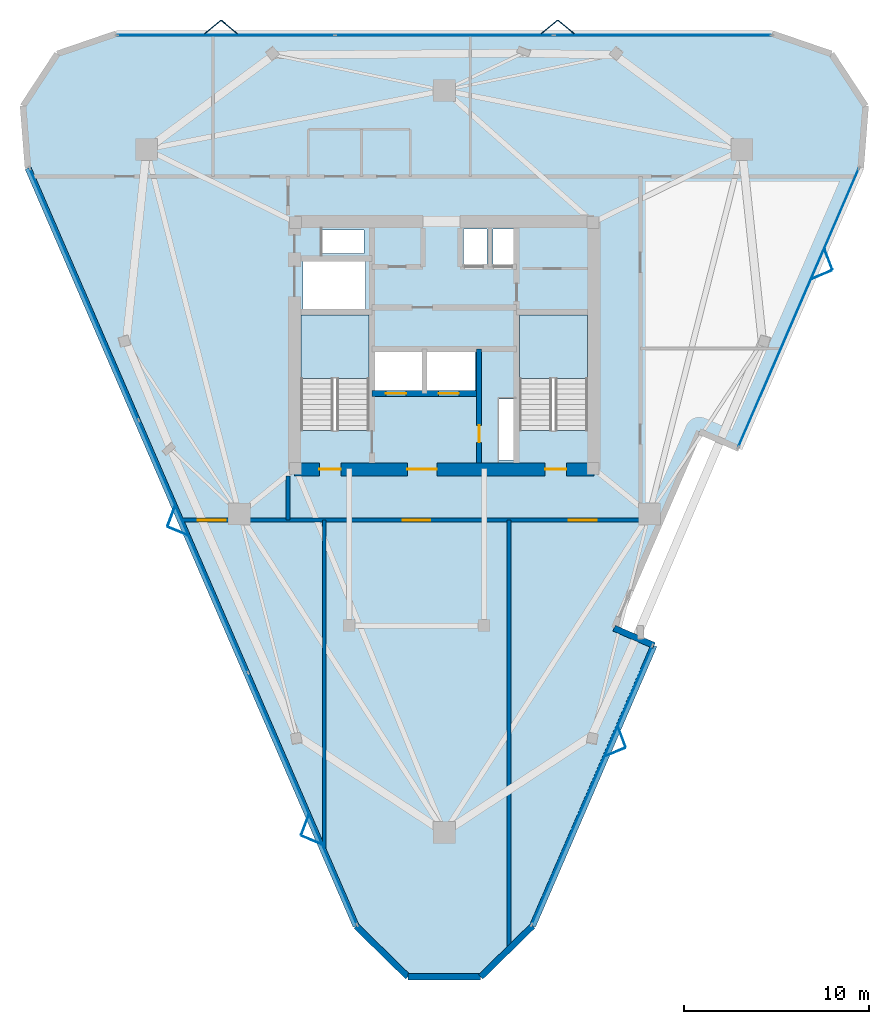
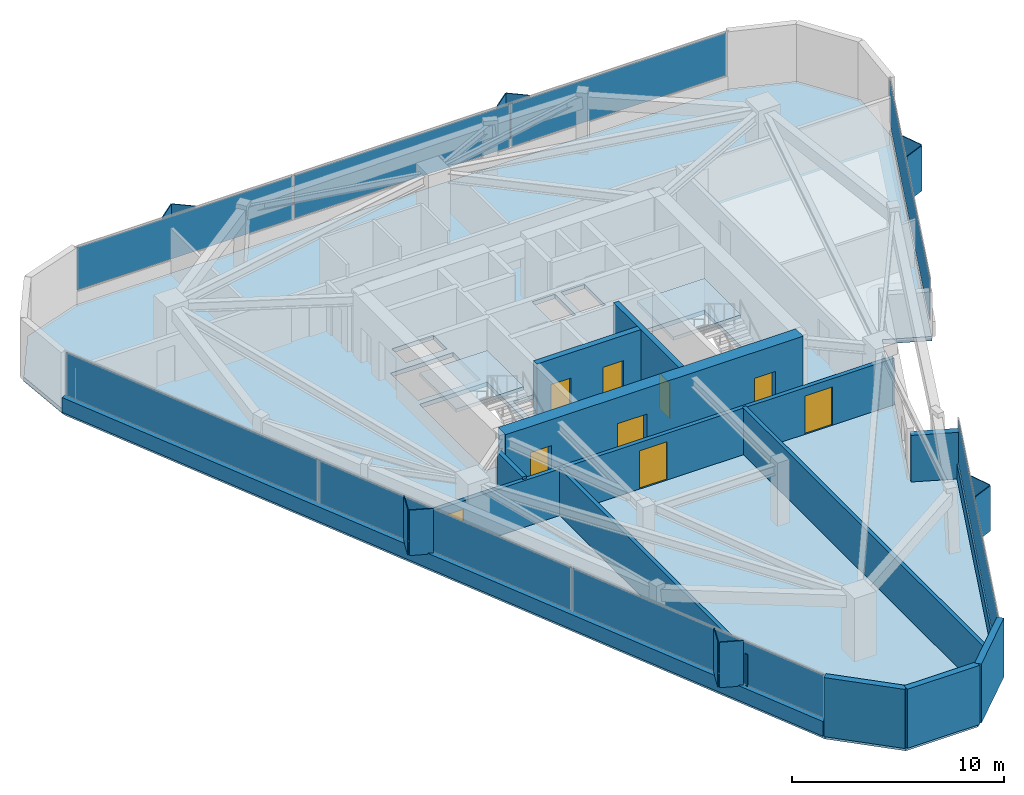
# One storey, part 7 of 10: 20 plates, 13 walls, 9 doors, 3 slabs, 9 openings, 6 elements without a shape of their own.
"""IFC4 building model written with IfcOpenShell, lengths in metres."""

from ifc_helpers import new_model, si_unit, direction, frame, frame_2d, origin, origin_2d, place, context, subcontext, project, spatial, polyline, rectangle, outline, extrude, material, layer, layer_set, type_object, element, fill, aggregate, save


model = new_model("IFC4")

# Units and contexts
model_context = context("Model", 3, precision=1e-05, world=origin(), true_north=direction((0.0, 1.0)))
body_context = subcontext(model_context, "Body", "Model", "MODEL_VIEW")
ifc_project = project(units=[si_unit("LENGTHUNIT", "METRE"), si_unit("AREAUNIT", "SQUARE_METRE"), si_unit("VOLUMEUNIT", "CUBIC_METRE"), si_unit("PLANEANGLEUNIT", "RADIAN"), si_unit("MASSUNIT", "GRAM", prefix="KILO")], contexts=[model_context])

# Site, building, storey
site_placement = place(None, origin())
site = spatial("IfcSite", under=ifc_project, at=site_placement, CompositionType="ELEMENT")
building_placement = place(site_placement, origin())
building = spatial("IfcBuilding", under=site, at=building_placement, Name="Talyreon Biosciences Tower", CompositionType="ELEMENT")
storey_placement = place(building_placement, frame((0.0, 0.0, 257.14990234375)))
storey = spatial("IfcBuildingStorey", under=building, at=storey_placement, Name="L68", CompositionType="ELEMENT", Elevation=257.14990234375)

# Curtain wall, plates
ifc_material_1 = material(Name="Thermally broken aluminium and low-E glazing", Category="aluminium")
ifc_layer_1 = layer(ifc_material_1, 0.205078125)
ifc_layer_set_1 = layer_set([ifc_layer_1], Name="Thermally broken aluminium and low-E glazing")
curtain_wall_type = type_object("IfcCurtainWallType", Name="CurtainWall_SkyGardenLoggia", PredefinedType="NOTDEFINED", material=ifc_layer_set_1)
curtain_wall_1_placement = place(storey_placement, origin())
curtain_wall_1 = element("IfcCurtainWall", 1, at=curtain_wall_1_placement, inside=storey, type_object=curtain_wall_type, Name="L68 Unitised Curtain Wall FCW-L68-03", PredefinedType="NOTDEFINED")
ifc_material_2 = material(Name="Acoustic laminated low-E insulated glazing", Category="glass")
ifc_layer_2 = layer(ifc_material_2, 0.0380859375)
ifc_layer_set_2 = layer_set([ifc_layer_2], Name="Acoustic laminated low-E insulated glazing")
plate_type_1 = type_object("IfcPlateType", Name="CWGlazingPanel_38", PredefinedType="CURTAIN_PANEL", material=ifc_layer_set_2)
plate_1_placement = place(storey_placement, frame((54.193115234375, 84.77099609375, 0.875), z_axis=(0.0, 0.0, 1.0), x_axis=(1.0, 0.0, 0.0)))
plate_1 = element("IfcPlate", 2, at=plate_1_placement, type_object=plate_type_1, Name="CW7 panel 1.1", PredefinedType="CURTAIN_PANEL", context=body_context, shape_type="SweptSolid", body=[
    extrude(rectangle(XDim=11.713134765625, YDim=0.0380859375, at=origin_2d()), origin(), (0.0, 0.0, 1.0), 2.4599609375),
])
plate_2_placement = place(storey_placement, frame((66.0, 84.77099609375, 0.875), z_axis=(0.0, 0.0, 1.0), x_axis=(1.0, 0.0, 0.0)))
plate_2 = element("IfcPlate", 3, at=plate_2_placement, type_object=plate_type_1, Name="CW7 panel 2.1", PredefinedType="CURTAIN_PANEL", context=body_context, shape_type="SweptSolid", body=[
    extrude(rectangle(XDim=11.750732421875, YDim=0.0380859375, at=origin_2d()), origin(), (0.0, 0.0, 1.0), 2.4599609375),
])
plate_3_placement = place(storey_placement, frame((77.806884765625, 84.77099609375, 0.875), z_axis=(0.0, 0.0, 1.0), x_axis=(1.0, 0.0, 0.0)))
plate_3 = element("IfcPlate", 4, at=plate_3_placement, type_object=plate_type_1, Name="CW7 panel 3.1", PredefinedType="CURTAIN_PANEL", context=body_context, shape_type="SweptSolid", body=[
    extrude(rectangle(XDim=11.713134765625, YDim=0.0380859375, at=origin_2d()), origin(), (0.0, 0.0, 1.0), 2.4599609375),
])
aggregate(curtain_wall_1, [plate_1, plate_2, plate_3])

# Curtain wall, plate
curtain_wall_2_placement = place(storey_placement, origin())
curtain_wall_2 = element("IfcCurtainWall", 5, at=curtain_wall_2_placement, inside=storey, type_object=curtain_wall_type, Name="L68 Unitised Curtain Wall FCW-L68-07", PredefinedType="NOTDEFINED")
plate_4_placement = place(storey_placement, frame((85.154541015625, 70.032958984375, 0.875), z_axis=(0.0, 0.0, 1.0), x_axis=(-0.397218746753, -0.917723960256, 0.0)))
plate_4 = element("IfcPlate", 6, at=plate_4_placement, type_object=plate_type_1, Name="CW7 panel 1.1", PredefinedType="CURTAIN_PANEL", context=body_context, shape_type="SweptSolid", body=[
    extrude(rectangle(XDim=16.378173828125, YDim=0.0380859375, at=origin_2d()), origin(), (0.0, 0.0, 1.0), 2.4599609375),
])
aggregate(curtain_wall_2, [plate_4])

curtain_wall_3_placement = place(storey_placement, origin())
curtain_wall_3 = element("IfcCurtainWall", 7, at=curtain_wall_3_placement, inside=storey, type_object=curtain_wall_type, Name="L68 Unitised Curtain Wall FCW-L68-11", PredefinedType="NOTDEFINED")
plate_5_placement = place(storey_placement, frame((73.9814453125, 44.21923828125, 0.875), z_axis=(0.0, 0.0, 1.0), x_axis=(-0.397220952302, -0.917723005624, 0.0)))
plate_5 = element("IfcPlate", 8, at=plate_5_placement, type_object=plate_type_1, Name="CW7 panel 1.1", PredefinedType="CURTAIN_PANEL", context=body_context, shape_type="SweptSolid", body=[
    extrude(rectangle(XDim=16.378173828125, YDim=0.0380859375, at=origin_2d()), origin(), (0.0, 0.0, 1.0), 2.4599609375),
])
aggregate(curtain_wall_3, [plate_5])

# Curtain wall, plates
curtain_wall_4_placement = place(storey_placement, origin())
curtain_wall_4 = element("IfcCurtainWall", 9, at=curtain_wall_4_placement, inside=storey, type_object=curtain_wall_type, Name="L68 Unitised Curtain Wall FCW-L68-15", PredefinedType="NOTDEFINED")
plate_6_placement = place(storey_placement, frame((58.33740234375, 43.482666015625, 0.875), z_axis=(0.0, 0.0, 1.0), x_axis=(-0.397220725706, 0.917723103703, 0.0)))
plate_6 = element("IfcPlate", 10, at=plate_6_placement, type_object=plate_type_1, Name="CW7 panel 1.1", PredefinedType="CURTAIN_PANEL", context=body_context, shape_type="SweptSolid", body=[
    extrude(rectangle(XDim=14.77294921875, YDim=0.0380859375, at=origin_2d()), origin(), (0.0, 0.0, 1.0), 2.4599609375),
])
plate_7_placement = place(storey_placement, frame((52.431884765625, 57.126220703125, 0.875), z_axis=(0.0, 0.0, 1.0), x_axis=(-0.397220725706, 0.917723103703, 0.0)))
plate_7 = element("IfcPlate", 11, at=plate_7_placement, type_object=plate_type_1, Name="CW7 panel 2.1", PredefinedType="CURTAIN_PANEL", context=body_context, shape_type="SweptSolid", body=[
    extrude(rectangle(XDim=14.810546875, YDim=0.0380859375, at=origin_2d()), origin(), (0.0, 0.0, 1.0), 2.4599609375),
])
plate_8_placement = place(storey_placement, frame((46.526611328125, 70.76953125, 0.875), z_axis=(0.0, 0.0, 1.0), x_axis=(-0.397220725706, 0.917723103703, 0.0)))
plate_8 = element("IfcPlate", 12, at=plate_8_placement, type_object=plate_type_1, Name="CW7 panel 3.1", PredefinedType="CURTAIN_PANEL", context=body_context, shape_type="SweptSolid", body=[
    extrude(rectangle(XDim=14.77294921875, YDim=0.0380859375, at=origin_2d()), origin(), (0.0, 0.0, 1.0), 2.4599609375),
])
aggregate(curtain_wall_4, [plate_6, plate_7, plate_8])

# Slab
ifc_material_3 = material(Name="Concrete C40/50", Category="concrete")
ifc_layer_3 = layer(ifc_material_3, 0.25)
ifc_layer_set_3 = layer_set([ifc_layer_3], Name="Concrete C40/50")
slab_type_1 = type_object("IfcSlabType", Name="DryLabFloorSlab_250", PredefinedType="FLOOR", material=ifc_layer_set_3)
slab_1_placement = place(storey_placement, frame((0.0, 0.0, -0.25)))
element("IfcSlab", 13, at=slab_1_placement, inside=storey, type_object=slab_type_1, Name="L68 Structural Floor Slab", PredefinedType="FLOOR", context=body_context, shape_type="SweptSolid", body=[
    extrude(outline(polyline([(43.489501953125, 77.58544921875), (43.224853515625, 80.94384765625), (45.07421875, 83.759765625), (48.261474609375, 84.85107421875), (83.738525390625, 84.85107421875), (86.92578125, 83.759765625), (88.775146484375, 80.94384765625), (88.510498046875, 77.58544921875), (81.9453125, 62.4169921875), (79.788818359375, 63.3505859375), (75.180908203125, 52.705078125), (77.33740234375, 51.771484375), (70.772216796875, 36.603271484375), (67.964599609375, 33.854248046875), (64.035400390625, 33.854248046875), (61.227783203125, 36.603271484375), (43.489501953125, 77.58544921875)]), holes=[polyline([(69.820068359375, 65.10009765625), (69.820068359375, 61.800048828125), (68.9599609375, 61.800048828125), (68.9599609375, 65.10009765625), (69.820068359375, 65.10009765625)]), polyline([(61.929931640625, 69.64990234375), (61.929931640625, 63.407958984375), (58.25, 63.407958984375), (58.25, 69.64990234375), (61.929931640625, 69.64990234375)]), polyline([(73.75, 69.64990234375), (73.75, 63.407958984375), (70.070068359375, 63.407958984375), (70.070068359375, 69.64990234375), (73.75, 69.64990234375)]), polyline([(64.800048828125, 67.64990234375), (64.800048828125, 65.550048828125), (62.199951171875, 65.550048828125), (62.199951171875, 67.64990234375), (64.800048828125, 67.64990234375)]), polyline([(67.64990234375, 67.64990234375), (67.64990234375, 65.550048828125), (65.050048828125, 65.550048828125), (65.050048828125, 67.64990234375), (67.64990234375, 67.64990234375)]), polyline([(61.75, 72.550048828125), (61.75, 69.97998046875), (58.35009765625, 69.97998046875), (58.35009765625, 72.550048828125), (61.75, 72.550048828125)]), polyline([(68.300048828125, 74.300048828125), (68.300048828125, 72.35009765625), (67.050048828125, 72.35009765625), (67.050048828125, 74.300048828125), (68.300048828125, 74.300048828125)]), polyline([(69.919921875, 72.35009765625), (68.6201171875, 72.35009765625), (68.6201171875, 74.300048828125), (69.919921875, 74.300048828125), (69.919921875, 72.35009765625)]), polyline([(61.64990234375, 72.9599609375), (59.39990234375, 72.9599609375), (59.39990234375, 74.25), (61.64990234375, 74.25), (61.64990234375, 72.9599609375)])]), origin(), (0.0, 0.0, 1.0), 0.25),
])

# Plates
ifc_material_4 = material(Name="Ivory GFRC sunshade panel", Category="concrete")
ifc_layer_4 = layer(ifc_material_4, 0.044921875)
ifc_layer_set_4 = layer_set([ifc_layer_4], Name="Ivory GFRC sunshade panel")
plate_type_2 = type_object("IfcPlateType", Name="FoldedVSunshade_NorthFace_SUNSHADE", PredefinedType="USERDEFINED", material=ifc_layer_set_4)
for number, where, z_axis, x_axis, name in (
    (14, (53.4814453125, 85.2109375, 0.7900390625), (0.0, 0.0, 1.0), (0.771624583388, 0.636078220278, 0.0), "L68 Folded V-Sunshade Panel 03.01L"),
    (15, (54.381591796875, 85.2109375, 0.7900390625), (0.0, 0.0, 1.0), (0.771624583388, -0.636078220278, 0.0), "L68 Folded V-Sunshade Panel 03.01R"),
    (16, (71.681396484375, 85.2109375, 0.7900390625), (0.0, 0.0, 1.0), (0.771624583388, 0.636078220278, 0.0), "L68 Folded V-Sunshade Panel 03.02L"),
    (17, (72.58154296875, 85.2109375, 0.7900390625), (0.0, 0.0, 1.0), (0.771624583388, -0.636078220278, 0.0), "L68 Folded V-Sunshade Panel 03.02R"),
):
    element("IfcPlate", number, at=place(storey_placement, frame(where, z_axis=z_axis, x_axis=x_axis)), inside=storey, type_object=plate_type_2, Name=name, ObjectType="SUNSHADE", PredefinedType="USERDEFINED", context=body_context, shape_type="SweptSolid", body=[
        extrude(rectangle(XDim=1.14990234375, YDim=0.044921875, at=origin_2d()), origin(), (0.0, 0.0, 1.0), 2.610107421875),
    ])
ifc_layer_5 = layer(ifc_material_4, 0.044921875)
ifc_layer_set_5 = layer_set([ifc_layer_5], Name="Ivory GFRC sunshade panel")
plate_type_3 = type_object("IfcPlateType", Name="FoldedVSunshade_SunFace_SUNSHADE", PredefinedType="USERDEFINED", material=ifc_layer_set_5)
for number, where, z_axis, x_axis, name in (
    (18, (86.767578125, 72.65185546875, 0.7900390625), (0.0, 0.0, 1.0), (0.351776298264, -0.936084096639, 0.0), "L68 Folded V-Sunshade Panel 07.01L"),
    (19, (86.409912109375, 71.825927734375, 0.7900390625), (0.0, 0.0, 1.0), (-0.923237043738, -0.384230869491, 0.0), "L68 Folded V-Sunshade Panel 07.01R"),
    (20, (75.594482421875, 46.837890625, 0.7900390625), (0.0, 0.0, 1.0), (0.351759960461, -0.936090236151, 0.0), "L68 Folded V-Sunshade Panel 11.01L"),
    (21, (75.23681640625, 46.011962890625, 0.7900390625), (0.0, 0.0, 1.0), (-0.923243749691, -0.384214755907, 0.0), "L68 Folded V-Sunshade Panel 11.01R"),
    (22, (58.823974609375, 41.250732421875, 0.7900390625), (0.0, 0.0, 1.0), (-0.923243749691, 0.384214755907, 0.0), "L68 Folded V-Sunshade Panel 15.01L"),
    (23, (58.46630859375, 42.076904296875, 0.7900390625), (0.0, 0.0, 1.0), (0.351759960461, 0.936090236151, 0.0), "L68 Folded V-Sunshade Panel 15.01R"),
    (24, (51.594482421875, 57.953369140625, 0.7900390625), (0.0, 0.0, 1.0), (-0.923243749691, 0.384214755907, 0.0), "L68 Folded V-Sunshade Panel 15.02L"),
    (25, (51.237060546875, 58.779296875, 0.7900390625), (0.0, 0.0, 1.0), (0.351759960461, 0.936090236151, 0.0), "L68 Folded V-Sunshade Panel 15.02R"),
):
    element("IfcPlate", number, at=place(storey_placement, frame(where, z_axis=z_axis, x_axis=x_axis)), inside=storey, type_object=plate_type_3, Name=name, ObjectType="SUNSHADE", PredefinedType="USERDEFINED", context=body_context, shape_type="SweptSolid", body=[
        extrude(rectangle(XDim=1.14990234375, YDim=0.044921875, at=origin_2d()), origin(), (0.0, 0.0, 1.0), 2.610107421875),
    ])

# Stair, slab
stair_type = type_object("IfcStairType", Name="DoglegEscapeStair_3650", PredefinedType="HALF_TURN_STAIR", material=ifc_material_3)
stair_1_placement = place(storey_placement, origin())
stair_1 = element("IfcStair", 26, at=stair_1_placement, inside=storey, type_object=stair_type, Name="L68 Core Escape Stair 1", PredefinedType="HALF_TURN_STAIR")
ifc_layer_6 = layer(ifc_material_3, 0.199951171875)
ifc_layer_set_6 = layer_set([ifc_layer_6], Name="Concrete C40/50")
slab_type_2 = type_object("IfcSlabType", Name="StairLandingSlab_200", PredefinedType="LANDING", material=ifc_layer_set_6)
slab_2_placement = place(storey_placement, frame((0.0, 0.0, 1.625)))
slab_2 = element("IfcSlab", 27, at=slab_2_placement, type_object=slab_type_2, Name="ST-1 landing 1", PredefinedType="LANDING", context=body_context, shape_type="SweptSolid", body=[
    extrude(outline(polyline([(61.929931640625, 66.199951171875), (61.929931640625, 69.64990234375), (58.25, 69.64990234375), (58.25, 66.199951171875), (61.929931640625, 66.199951171875)])), origin(), (0.0, 0.0, 1.0), 0.2001953125),
])
aggregate(stair_1, [slab_2])

stair_2_placement = place(storey_placement, origin())
stair_2 = element("IfcStair", 28, at=stair_2_placement, inside=storey, type_object=stair_type, Name="L68 Core Escape Stair 2", PredefinedType="HALF_TURN_STAIR")
slab_3_placement = place(storey_placement, frame((0.0, 0.0, 1.625)))
slab_3 = element("IfcSlab", 29, at=slab_3_placement, type_object=slab_type_2, Name="ST-2 landing 1", PredefinedType="LANDING", context=body_context, shape_type="SweptSolid", body=[
    extrude(outline(polyline([(73.75, 66.199951171875), (73.75, 69.64990234375), (70.070068359375, 69.64990234375), (70.070068359375, 66.199951171875), (73.75, 66.199951171875)])), origin(), (0.0, 0.0, 1.0), 0.2001953125),
])
aggregate(stair_2, [slab_3])

# Walls
ifc_material_5 = material(Name="Gypsum fireboard acoustic stud", Category="gypsum")
ifc_layer_7 = layer(ifc_material_5, 0.199951171875)
ifc_layer_set_7 = layer_set([ifc_layer_7], Name="Gypsum fireboard acoustic stud")
wall_type_1 = type_object("IfcWallType", Name="ChemControlPartition_200", PredefinedType="PARTITIONING", material=ifc_layer_set_7)
wall_1_placement = place(storey_placement, frame((59.5, 40.80908203125, 0.0), z_axis=(0.0, 0.0, 1.0), x_axis=(0.0, 1.0, 0.0)))
element("IfcWall", 30, at=wall_1_placement, inside=storey, type_object=wall_type_1, Name="L68 Interior Wall IW-L68-SDIV1", PredefinedType="PARTITIONING", context=body_context, shape_type="SweptSolid", body=[
    extrude(rectangle(XDim=17.740966796875, YDim=0.199951171875, at=frame_2d((8.87060546875, 0.0))), origin(), (0.0, 0.0, 1.0), 2.68017578125),
])
wall_2_placement = place(storey_placement, frame((69.5, 35.4765625, 0.0), z_axis=(0.0, 0.0, 1.0), x_axis=(0.0, 1.0, 0.0)))
element("IfcWall", 31, at=wall_2_placement, inside=storey, type_object=wall_type_1, Name="L68 Interior Wall IW-L68-SDIV2", PredefinedType="PARTITIONING", context=body_context, shape_type="SweptSolid", body=[
    extrude(rectangle(XDim=23.073486328125, YDim=0.199951171875, at=frame_2d((11.53662109375, 0.0))), origin(), (0.0, 0.0, 1.0), 2.68017578125),
])

# Wall, opening, door
ifc_material_6 = material(Name="Concrete C50/60", Category="concrete")
ifc_layer_8 = layer(ifc_material_6, 0.280029296875)
ifc_layer_set_8 = layer_set([ifc_layer_8], Name="Concrete C50/60")
wall_type_2 = type_object("IfcWallType", Name="CoreShearWall_280", PredefinedType="SHEAR", material=ifc_layer_set_8)
wall_3_placement = place(storey_placement, frame((67.8798828125, 61.64990234375, 0.0), z_axis=(0.0, 0.0, 1.0), x_axis=(0.0, 1.0, 0.0)))
wall_3 = element("IfcWall", 32, at=wall_3_placement, inside=storey, type_object=wall_type_2, Name="L68 Core Shaft Wall SWFFE", PredefinedType="SHEAR", context=body_context, shape_type="SweptSolid", body=[
    extrude(rectangle(XDim=6.150146484375, YDim=0.280029296875, at=frame_2d((3.0751953125, 0.0))), origin(), (0.0, 0.0, 1.0), 3.650146484375),
])
opening_1_placement = place(wall_3_placement, frame((1.10009765625, 0.0, 0.0)))
opening_1 = element("IfcOpeningElement", 33, at=opening_1_placement, cuts=wall_3, Name="Opening DR-L68-RSE", PredefinedType="OPENING", context=body_context, shape_type="SweptSolid", body=[
    extrude(rectangle(XDim=0.919921875, YDim=2.050048828125, at=frame_2d((0.4599609375, 1.02490234375))), frame((0.0, 0.14990234375, 0.0), z_axis=(0.0, -1.0, 0.0), x_axis=(1.0, 0.0, 0.0)), (0.0, 0.0, 1.0), 0.300048828125),
])
ifc_material_7 = material(Name="Painted steel fire-rated riser door", Category="steel")
door_type_1 = type_object("IfcDoorType", Name="RiserPlantAccessDoor_920x2050", OperationType="NOTDEFINED", PredefinedType="DOOR", material=ifc_material_7)
door_1_placement = place(opening_1_placement, origin())
door_1 = element("IfcDoor", 34, at=door_1_placement, inside=storey, type_object=door_type_1, Name="L68 Core Door DR-L68-RSE", OperationType="SINGLE_SWING_RIGHT", OverallHeight=2.050048828125, OverallWidth=0.919921875, PredefinedType="DOOR", context=body_context, shape_type="SweptSolid", body=[
    extrude(rectangle(XDim=0.919921875, YDim=2.050048828125, at=frame_2d((0.4599609375, 1.02490234375))), frame((0.0, 0.02490234375, 0.0), z_axis=(0.0, -1.0, 0.0), x_axis=(1.0, 0.0, 0.0)), (0.0, 0.0, 1.0), 0.050048828125),
])
fill(opening_1, door_1)

# Wall, openings, doors
ifc_layer_9 = layer(ifc_material_6, 0.320068359375)
ifc_layer_set_9 = layer_set([ifc_layer_9], Name="Concrete C50/60")
wall_type_3 = type_object("IfcWallType", Name="CoreShearWall_320", PredefinedType="SHEAR", material=ifc_layer_set_9)
wall_4_placement = place(storey_placement, frame((62.090087890625, 65.39990234375, 0.0), z_axis=(0.0, 0.0, 1.0), x_axis=(1.0, 0.0, 0.0)))
wall_4 = element("IfcWall", 35, at=wall_4_placement, inside=storey, type_object=wall_type_3, Name="L68 Core Shaft Wall SWFFN", PredefinedType="SHEAR", context=body_context, shape_type="SweptSolid", body=[
    extrude(rectangle(XDim=5.789794921875, YDim=0.320068359375, at=frame_2d((2.89501953125, 0.0))), origin(), (0.0, 0.0, 1.0), 3.650146484375),
])
opening_2_placement = place(wall_4_placement, frame((0.75, 0.0, 0.0)))
opening_2 = element("IfcOpeningElement", 36, at=opening_2_placement, cuts=wall_4, Name="Opening LD-L68-FL1", PredefinedType="OPENING", context=body_context, shape_type="SweptSolid", body=[
    extrude(rectangle(XDim=1.10009765625, YDim=2.199951171875, at=frame_2d((0.550048828125, 1.10009765625))), frame((0.0, 0.169921875, 0.0), z_axis=(0.0, -1.0, 0.0), x_axis=(1.0, 0.0, 0.0)), (0.0, 0.0, 1.0), 0.340087890625),
])
opening_3_placement = place(wall_4_placement, frame((3.60009765625, 0.0, 0.0)))
opening_3 = element("IfcOpeningElement", 37, at=opening_3_placement, cuts=wall_4, Name="Opening LD-L68-FL2", PredefinedType="OPENING", context=body_context, shape_type="SweptSolid", body=[
    extrude(rectangle(XDim=1.10009765625, YDim=2.199951171875, at=frame_2d((0.550048828125, 1.10009765625))), frame((0.0, 0.169921875, 0.0), z_axis=(0.0, -1.0, 0.0), x_axis=(1.0, 0.0, 0.0)), (0.0, 0.0, 1.0), 0.340087890625),
])
ifc_material_8 = material(Name="Brushed stainless-steel lift landing door", Category="steel")
door_type_2 = type_object("IfcDoorType", Name="LiftSlidingLandingDoor_1100x2200", OperationType="SLIDING_TO_LEFT", PredefinedType="DOOR", material=ifc_material_8)
door_2_placement = place(opening_2_placement, origin())
door_2 = element("IfcDoor", 38, at=door_2_placement, inside=storey, type_object=door_type_2, Name="L68 Core Door LD-L68-FL1", OperationType="SLIDING_TO_LEFT", OverallHeight=2.199951171875, OverallWidth=1.10009765625, PredefinedType="DOOR", context=body_context, shape_type="SweptSolid", body=[
    extrude(rectangle(XDim=1.10009765625, YDim=2.199951171875, at=frame_2d((0.550048828125, 1.10009765625))), frame((0.0, 0.02490234375, 0.0), z_axis=(0.0, -1.0, 0.0), x_axis=(1.0, 0.0, 0.0)), (0.0, 0.0, 1.0), 0.050048828125),
])
fill(opening_2, door_2)
door_3_placement = place(opening_3_placement, origin())
door_3 = element("IfcDoor", 39, at=door_3_placement, inside=storey, type_object=door_type_2, Name="L68 Core Door LD-L68-FL2", OperationType="SLIDING_TO_LEFT", OverallHeight=2.199951171875, OverallWidth=1.10009765625, PredefinedType="DOOR", context=body_context, shape_type="SweptSolid", body=[
    extrude(rectangle(XDim=1.10009765625, YDim=2.199951171875, at=frame_2d((0.550048828125, 1.10009765625))), frame((0.0, 0.02490234375, 0.0), z_axis=(0.0, -1.0, 0.0), x_axis=(1.0, 0.0, 0.0)), (0.0, 0.0, 1.0), 0.050048828125),
])
fill(opening_3, door_3)

ifc_layer_10 = layer(ifc_material_6, 0.699951171875)
ifc_layer_set_10 = layer_set([ifc_layer_10], Name="Concrete C50/60")
wall_type_4 = type_object("IfcWallType", Name="CoreShearWall_700", PredefinedType="SHEAR", material=ifc_layer_set_10)
wall_5_placement = place(storey_placement, frame((57.89990234375, 61.300048828125, 0.0), z_axis=(0.0, 0.0, 1.0), x_axis=(1.0, 0.0, 0.0)))
wall_5 = element("IfcWall", 40, at=wall_5_placement, inside=storey, type_object=wall_type_4, Name="L68 Core Shear Wall S", PredefinedType="SHEAR", context=body_context, shape_type="SweptSolid", body=[
    extrude(rectangle(XDim=16.2001953125, YDim=0.699951171875, at=frame_2d((8.10009765625, 0.0))), origin(), (0.0, 0.0, 1.0), 3.650146484375),
])
opening_4_placement = place(wall_5_placement, frame((1.35009765625, 0.0, 0.0)))
opening_4 = element("IfcOpeningElement", 41, at=opening_4_placement, cuts=wall_5, Name="Opening DR-L68-ST1", PredefinedType="OPENING", context=body_context, shape_type="SweptSolid", body=[
    extrude(rectangle(XDim=1.14990234375, YDim=2.14990234375, at=frame_2d((0.574951171875, 1.074951171875))), frame((0.0, 0.35986328125, 0.0), z_axis=(0.0, -1.0, 0.0), x_axis=(1.0, 0.0, 0.0)), (0.0, 0.0, 1.0), 0.719970703125),
])
opening_5_placement = place(wall_5_placement, frame((6.10009765625, 0.0, 0.0)))
opening_5 = element("IfcOpeningElement", 42, at=opening_5_placement, cuts=wall_5, Name="Opening DR-L68-FFL", PredefinedType="OPENING", context=body_context, shape_type="SweptSolid", body=[
    extrude(rectangle(XDim=1.60009765625, YDim=2.14990234375, at=frame_2d((0.800048828125, 1.074951171875))), frame((0.0, 0.35986328125, 0.0), z_axis=(0.0, -1.0, 0.0), x_axis=(1.0, 0.0, 0.0)), (0.0, 0.0, 1.0), 0.719970703125),
])
opening_6_placement = place(wall_5_placement, frame((13.550048828125, 0.0, 0.0)))
opening_6 = element("IfcOpeningElement", 43, at=opening_6_placement, cuts=wall_5, Name="Opening DR-L68-ST2", PredefinedType="OPENING", context=body_context, shape_type="SweptSolid", body=[
    extrude(rectangle(XDim=1.14990234375, YDim=2.14990234375, at=frame_2d((0.574951171875, 1.074951171875))), frame((0.0, 0.35986328125, 0.0), z_axis=(0.0, -1.0, 0.0), x_axis=(1.0, 0.0, 0.0)), (0.0, 0.0, 1.0), 0.719970703125),
])
ifc_material_9 = material(Name="Painted steel smoke-seal fire door", Category="steel")
door_type_3 = type_object("IfcDoorType", Name="FirefightingLobbyDoubleDoor_1600x2150", OperationType="DOUBLE_DOOR_SINGLE_SWING", PredefinedType="DOOR", material=ifc_material_9)
door_4_placement = place(opening_5_placement, origin())
door_4 = element("IfcDoor", 44, at=door_4_placement, inside=storey, type_object=door_type_3, Name="L68 Core Door DR-L68-FFL", OperationType="DOUBLE_DOOR_SINGLE_SWING", OverallHeight=2.14990234375, OverallWidth=1.60009765625, PredefinedType="DOOR", context=body_context, shape_type="SweptSolid", body=[
    extrude(rectangle(XDim=1.60009765625, YDim=2.14990234375, at=frame_2d((0.800048828125, 1.074951171875))), frame((0.0, 0.02490234375, 0.0), z_axis=(0.0, -1.0, 0.0), x_axis=(1.0, 0.0, 0.0)), (0.0, 0.0, 1.0), 0.050048828125),
])
fill(opening_5, door_4)
ifc_material_10 = material(Name="Painted steel fire door", Category="steel")
door_type_4 = type_object("IfcDoorType", Name="StairShaftFireDoor_1150x2150", OperationType="NOTDEFINED", PredefinedType="DOOR", material=ifc_material_10)
door_5_placement = place(opening_4_placement, origin())
door_5 = element("IfcDoor", 45, at=door_5_placement, inside=storey, type_object=door_type_4, Name="L68 Core Door DR-L68-ST1", OperationType="SINGLE_SWING_LEFT", OverallHeight=2.14990234375, OverallWidth=1.14990234375, PredefinedType="DOOR", context=body_context, shape_type="SweptSolid", body=[
    extrude(rectangle(XDim=1.14990234375, YDim=2.14990234375, at=frame_2d((0.574951171875, 1.074951171875))), frame((0.0, 0.02490234375, 0.0), z_axis=(0.0, -1.0, 0.0), x_axis=(1.0, 0.0, 0.0)), (0.0, 0.0, 1.0), 0.050048828125),
])
fill(opening_4, door_5)
door_6_placement = place(opening_6_placement, origin())
door_6 = element("IfcDoor", 46, at=door_6_placement, inside=storey, type_object=door_type_4, Name="L68 Core Door DR-L68-ST2", OperationType="SINGLE_SWING_RIGHT", OverallHeight=2.14990234375, OverallWidth=1.14990234375, PredefinedType="DOOR", context=body_context, shape_type="SweptSolid", body=[
    extrude(rectangle(XDim=1.14990234375, YDim=2.14990234375, at=frame_2d((0.574951171875, 1.074951171875))), frame((0.0, 0.02490234375, 0.0), z_axis=(0.0, -1.0, 0.0), x_axis=(1.0, 0.0, 0.0)), (0.0, 0.0, 1.0), 0.050048828125),
])
fill(opening_6, door_6)

ifc_layer_11 = layer(ifc_material_5, 0.219970703125)
ifc_layer_set_11 = layer_set([ifc_layer_11], Name="Gypsum fireboard acoustic stud")
wall_type_5 = type_object("IfcWallType", Name="CorridorRatedPartition_220", PredefinedType="PARTITIONING", material=ifc_layer_set_11)
wall_6_placement = place(storey_placement, frame((51.8212890625, 58.550048828125, 0.0), z_axis=(0.0, 0.0, 1.0), x_axis=(1.0, 0.0, 0.0)))
wall_6 = element("IfcWall", 47, at=wall_6_placement, inside=storey, type_object=wall_type_5, Name="L68 Interior Wall IW-L68-COR-S", PredefinedType="PARTITIONING", context=body_context, shape_type="SweptSolid", body=[
    extrude(rectangle(XDim=25.796875, YDim=0.219970703125, at=frame_2d((12.8984375, 0.0))), origin(), (0.0, 0.0, 1.0), 2.68017578125),
])
opening_7_placement = place(wall_6_placement, frame((0.85888671875, 0.0, 0.0)))
opening_7 = element("IfcOpeningElement", 48, at=opening_7_placement, cuts=wall_6, Name="Opening DR-L68-S1A", PredefinedType="OPENING", context=body_context, shape_type="SweptSolid", body=[
    extrude(rectangle(XDim=1.5, YDim=2.199951171875, at=frame_2d((0.75, 1.10009765625))), frame((0.0, 0.119873046875, 0.0), z_axis=(0.0, -1.0, 0.0), x_axis=(1.0, 0.0, 0.0)), (0.0, 0.0, 1.0), 0.239990234375),
])
opening_8_placement = place(wall_6_placement, frame((11.928955078125, 0.0, 0.0)))
opening_8 = element("IfcOpeningElement", 49, at=opening_8_placement, cuts=wall_6, Name="Opening DR-L68-S2A", PredefinedType="OPENING", context=body_context, shape_type="SweptSolid", body=[
    extrude(rectangle(XDim=1.5, YDim=2.199951171875, at=frame_2d((0.75, 1.10009765625))), frame((0.0, 0.119873046875, 0.0), z_axis=(0.0, -1.0, 0.0), x_axis=(1.0, 0.0, 0.0)), (0.0, 0.0, 1.0), 0.239990234375),
])
opening_9_placement = place(wall_6_placement, frame((20.9130859375, 0.0, 0.0)))
opening_9 = element("IfcOpeningElement", 50, at=opening_9_placement, cuts=wall_6, Name="Opening DR-L68-S3A", PredefinedType="OPENING", context=body_context, shape_type="SweptSolid", body=[
    extrude(rectangle(XDim=1.5, YDim=2.199951171875, at=frame_2d((0.75, 1.10009765625))), frame((0.0, 0.119873046875, 0.0), z_axis=(0.0, -1.0, 0.0), x_axis=(1.0, 0.0, 0.0)), (0.0, 0.0, 1.0), 0.239990234375),
])
ifc_material_11 = material(Name="Vision-panel steel laboratory fire door", Category="steel")
door_type_5 = type_object("IfcDoorType", Name="WetLabDoubleLeafDoor_1500x2200", OperationType="DOUBLE_DOOR_SINGLE_SWING", PredefinedType="DOOR", material=ifc_material_11)
door_7_placement = place(opening_7_placement, origin())
door_7 = element("IfcDoor", 51, at=door_7_placement, inside=storey, type_object=door_type_5, Name="L68 Interior Door DR-L68-S1A", OperationType="DOUBLE_DOOR_SINGLE_SWING", OverallHeight=2.199951171875, OverallWidth=1.5, PredefinedType="DOOR", context=body_context, shape_type="SweptSolid", body=[
    extrude(rectangle(XDim=1.5, YDim=2.199951171875, at=frame_2d((0.75, 1.10009765625))), frame((0.0, 0.02490234375, 0.0), z_axis=(0.0, -1.0, 0.0), x_axis=(1.0, 0.0, 0.0)), (0.0, 0.0, 1.0), 0.050048828125),
])
fill(opening_7, door_7)
door_8_placement = place(opening_8_placement, origin())
door_8 = element("IfcDoor", 52, at=door_8_placement, inside=storey, type_object=door_type_5, Name="L68 Interior Door DR-L68-S2A", OperationType="DOUBLE_DOOR_SINGLE_SWING", OverallHeight=2.199951171875, OverallWidth=1.5, PredefinedType="DOOR", context=body_context, shape_type="SweptSolid", body=[
    extrude(rectangle(XDim=1.5, YDim=2.199951171875, at=frame_2d((0.75, 1.10009765625))), frame((0.0, 0.02490234375, 0.0), z_axis=(0.0, -1.0, 0.0), x_axis=(1.0, 0.0, 0.0)), (0.0, 0.0, 1.0), 0.050048828125),
])
fill(opening_8, door_8)
door_9_placement = place(opening_9_placement, origin())
door_9 = element("IfcDoor", 53, at=door_9_placement, inside=storey, type_object=door_type_5, Name="L68 Interior Door DR-L68-S3A", OperationType="DOUBLE_DOOR_SINGLE_SWING", OverallHeight=2.199951171875, OverallWidth=1.5, PredefinedType="DOOR", context=body_context, shape_type="SweptSolid", body=[
    extrude(rectangle(XDim=1.5, YDim=2.199951171875, at=frame_2d((0.75, 1.10009765625))), frame((0.0, 0.02490234375, 0.0), z_axis=(0.0, -1.0, 0.0), x_axis=(1.0, 0.0, 0.0)), (0.0, 0.0, 1.0), 0.050048828125),
])
fill(opening_9, door_9)

# Walls
wall_7_placement = place(storey_placement, frame((57.550048828125, 58.550048828125, 0.0), z_axis=(0.0, 0.0, 1.0), x_axis=(0.0, 1.0, 0.0)))
element("IfcWall", 54, at=wall_7_placement, inside=storey, type_object=wall_type_5, Name="L68 Interior Wall IW-L68-WCAP-S", PredefinedType="PARTITIONING", context=body_context, shape_type="SweptSolid", body=[
    extrude(rectangle(XDim=2.39990234375, YDim=0.219970703125, at=frame_2d((1.199951171875, 0.0))), origin(), (0.0, 0.0, 1.0), 2.830078125),
])
ifc_material_12 = material(Name="Precast concrete C45/55", Category="concrete")
ifc_layer_12 = layer(ifc_material_12, 0.340087890625)
ifc_layer_set_12 = layer_set([ifc_layer_12], Name="Precast concrete C45/55")
wall_type_6 = type_object("IfcWallType", Name="PrecastConcreteSpandrelWall_340", PredefinedType="STANDARD", material=ifc_layer_set_12)
wall_8_placement = place(storey_placement, frame((75.180908203125, 52.705078125, 0.0), z_axis=(0.0, 0.0, 1.0), x_axis=(0.917693285343, -0.397289609776, 0.0)))
element("IfcWall", 55, at=wall_8_placement, inside=storey, type_object=wall_type_6, Name="L68 Terrace Backing Concrete Wall 10", PredefinedType="STANDARD", context=body_context, shape_type="SweptSolid", body=[
    extrude(rectangle(XDim=2.349853515625, YDim=0.340087890625, at=frame_2d((1.1748046875, 0.0))), origin(), (0.0, 0.0, 1.0), 2.68017578125),
])
wall_9_placement = place(storey_placement, frame((77.33740234375, 51.771484375, 0.0), z_axis=(0.0, 0.0, 1.0), x_axis=(-0.397214835828, -0.917725653013, 0.0)))
element("IfcWall", 56, at=wall_9_placement, inside=storey, type_object=wall_type_6, Name="L68 Expressed Concrete Sill Wall 11", PredefinedType="STANDARD", context=body_context, shape_type="SweptSolid", body=[
    extrude(rectangle(XDim=16.528076171875, YDim=0.340087890625, at=frame_2d((8.26416015625, 0.0))), origin(), (0.0, 0.0, 1.0), 0.85009765625),
])
wall_10_placement = place(storey_placement, frame((70.772216796875, 36.603271484375, 0.0), z_axis=(0.0, 0.0, 1.0), x_axis=(-0.714523367767, -0.699611575744, 0.0)))
element("IfcWall", 57, at=wall_10_placement, inside=storey, type_object=wall_type_6, Name="L68 Rounded-Corner Concrete Pier 12", PredefinedType="STANDARD", context=body_context, shape_type="SweptSolid", body=[
    extrude(rectangle(XDim=3.929443359375, YDim=0.340087890625, at=frame_2d((1.96484375, 0.0))), origin(), (0.0, 0.0, 1.0), 3.400146484375),
])
wall_11_placement = place(storey_placement, frame((67.964599609375, 33.854248046875, 0.0), z_axis=(0.0, 0.0, 1.0), x_axis=(-1.0, 0.0, 0.0)))
element("IfcWall", 58, at=wall_11_placement, inside=storey, type_object=wall_type_6, Name="L68 Rounded-Corner Concrete Pier 13", PredefinedType="STANDARD", context=body_context, shape_type="SweptSolid", body=[
    extrude(rectangle(XDim=3.92919921875, YDim=0.340087890625, at=frame_2d((1.964599609375, 0.0))), origin(), (0.0, 0.0, 1.0), 3.400146484375),
])
wall_12_placement = place(storey_placement, frame((64.035400390625, 33.854248046875, 0.0), z_axis=(0.0, 0.0, 1.0), x_axis=(-0.714523367767, 0.699611575744, 0.0)))
element("IfcWall", 59, at=wall_12_placement, inside=storey, type_object=wall_type_6, Name="L68 Rounded-Corner Concrete Pier 14", PredefinedType="STANDARD", context=body_context, shape_type="SweptSolid", body=[
    extrude(rectangle(XDim=3.929443359375, YDim=0.340087890625, at=frame_2d((1.96484375, 0.0))), origin(), (0.0, 0.0, 1.0), 3.400146484375),
])
wall_13_placement = place(storey_placement, frame((61.227783203125, 36.603271484375, 0.0), z_axis=(0.0, 0.0, 1.0), x_axis=(-0.397217851518, 0.91772434774, 0.0)))
element("IfcWall", 60, at=wall_13_placement, inside=storey, type_object=wall_type_6, Name="L68 Expressed Concrete Sill Wall 15", PredefinedType="STANDARD", context=body_context, shape_type="SweptSolid", body=[
    extrude(rectangle(XDim=44.65625, YDim=0.340087890625, at=frame_2d((22.328125, 0.0))), origin(), (0.0, 0.0, 1.0), 0.85009765625),
])

save(model, "model.ifc")
